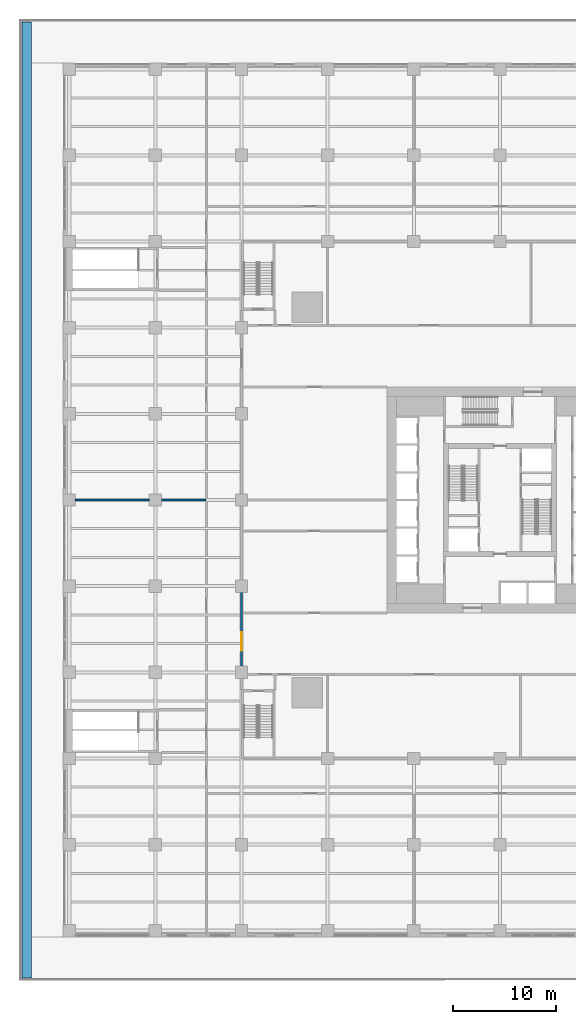
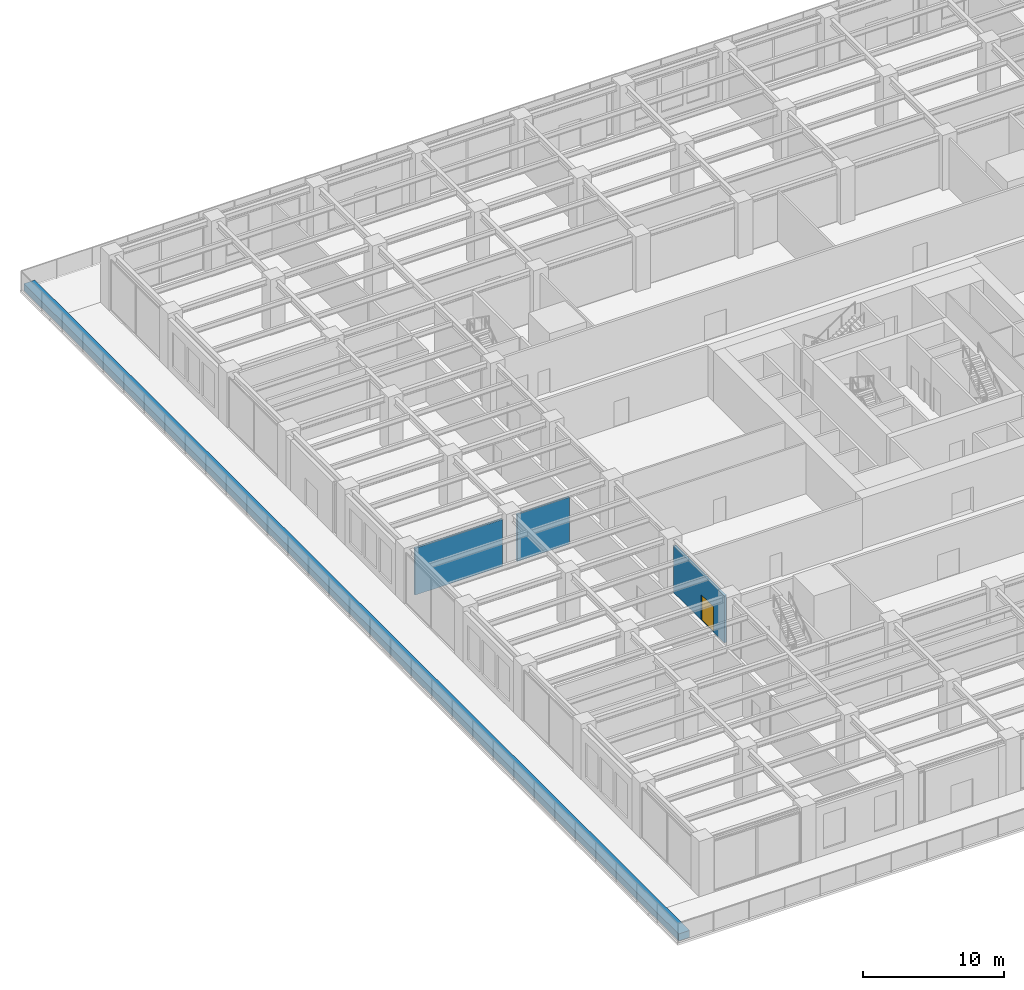
# One storey, part 37 of 53: 4 walls, 1 door, 1 opening.
"""IFC4 building model written with IfcOpenShell, lengths in metres."""

from ifc_helpers import new_model, si_unit, direction, frame, frame_2d, origin, place, context, subcontext, project, spatial, rectangle, extrude, material, layer, layer_set, type_object, element, fill, save


model = new_model("IFC4")

# Units and contexts
model_context = context("Model", 3, precision=1e-05, world=origin(), true_north=direction((0.0, 1.0)))
body_context = subcontext(model_context, "Body", "Model", "MODEL_VIEW")
ifc_project = project(units=[si_unit("LENGTHUNIT", "METRE"), si_unit("AREAUNIT", "SQUARE_METRE"), si_unit("VOLUMEUNIT", "CUBIC_METRE"), si_unit("PLANEANGLEUNIT", "RADIAN"), si_unit("MASSUNIT", "GRAM", prefix="KILO")], contexts=[model_context])

# Site, building, storey
site_placement = place(None, origin())
site = spatial("IfcSite", under=ifc_project, at=site_placement, CompositionType="ELEMENT")
building_placement = place(site_placement, origin())
building = spatial("IfcBuilding", under=site, at=building_placement, Name="Khepri Terraces", CompositionType="ELEMENT")
storey_placement = place(building_placement, frame((0.0, 0.0, 7.199951171875)))
storey = spatial("IfcBuildingStorey", under=building, at=storey_placement, Name="L01", CompositionType="ELEMENT", Elevation=7.199951171875)

# Walls
ifc_material_1 = material(Name="Precast concrete C50/60 warm stone", Category="masonry")
ifc_layer_1 = layer(ifc_material_1, 0.89990234375, Name="Precast concrete C50/60 warm stone", Category="masonry")
ifc_layer_set_1 = layer_set([ifc_layer_1], Name="Precast concrete C50/60 warm stone")
wall_type_1 = type_object("IfcWallType", Name="WL-PLANTER-900", PredefinedType="MOVABLE", material=ifc_layer_set_1)
wall_1_placement = place(storey_placement, frame((-46.14990234375, -46.60009765625, 0.0), z_axis=(0.0, 0.0, 1.0), x_axis=(0.0, 1.0, 0.0)))
element("IfcWall", 1, at=wall_1_placement, inside=storey, type_object=wall_type_1, Name="Planter L01", PredefinedType="MOVABLE", context=body_context, shape_type="SweptSolid", body=[
    extrude(rectangle(XDim=93.2001953125, YDim=0.89990234375, at=frame_2d((46.60009765625, 0.0))), origin(), (0.0, 0.0, 1.0), 0.60009765625),
])
ifc_material_2 = material(Name="Gypsum board partition")
ifc_layer_2 = layer(ifc_material_2, 0.14990234375, Name="Gypsum board partition")
ifc_layer_set_2 = layer_set([ifc_layer_2], Name="Gypsum board partition")
wall_type_2 = type_object("IfcWallType", Name="WL-POD-150", PredefinedType="PARTITIONING", material=ifc_layer_set_2)
wall_2_placement = place(storey_placement, frame((-41.39990234375, 0.0, 0.0), z_axis=(0.0, 0.0, 1.0), x_axis=(1.0, 0.0, 0.0)))
element("IfcWall", 2, at=wall_2_placement, inside=storey, type_object=wall_type_2, Name="Partition L01-PW019", PredefinedType="PARTITIONING", context=body_context, shape_type="SweptSolid", body=[
    extrude(rectangle(XDim=7.199951171875, YDim=0.14990234375, at=frame_2d((3.60009765625, 0.0))), origin(), (0.0, 0.0, 1.0), 4.080078125),
])
wall_3_placement = place(storey_placement, frame((-33.0, 0.0, 0.0), z_axis=(0.0, 0.0, 1.0), x_axis=(1.0, 0.0, 0.0)))
element("IfcWall", 3, at=wall_3_placement, inside=storey, type_object=wall_type_2, Name="Partition L01-PW020", PredefinedType="PARTITIONING", context=body_context, shape_type="SweptSolid", body=[
    extrude(rectangle(XDim=4.300048828125, YDim=0.14990234375, at=frame_2d((2.14990234375, 0.0))), origin(), (0.0, 0.0, 1.0), 4.080078125),
])

# Wall, opening, door
ifc_material_3 = material(Name="Fire-rated block wall")
ifc_layer_3 = layer(ifc_material_3, 0.199951171875, Name="Fire-rated block wall")
ifc_layer_set_3 = layer_set([ifc_layer_3], Name="Fire-rated block wall")
wall_type_3 = type_object("IfcWallType", Name="WL-POD-200-EI60", PredefinedType="PARTITIONING", material=ifc_layer_set_3)
wall_4_placement = place(storey_placement, frame((-25.199951171875, -16.199951171875, 0.0), z_axis=(0.0, 0.0, 1.0), x_axis=(0.0, 1.0, 0.0)))
wall_4 = element("IfcWall", 4, at=wall_4_placement, inside=storey, type_object=wall_type_3, Name="Partition L01-PW047", PredefinedType="PARTITIONING", context=body_context, shape_type="SweptSolid", body=[
    extrude(rectangle(XDim=7.199951171875, YDim=0.199951171875, at=frame_2d((3.60009765625, 0.0))), origin(), (0.0, 0.0, 1.0), 4.080078125),
])
opening_placement = place(wall_4_placement, frame((1.5, 0.0, 0.0)))
opening = element("IfcOpeningElement", 5, at=opening_placement, cuts=wall_4, Name="Opening L01-P15", PredefinedType="OPENING", context=body_context, shape_type="SweptSolid", body=[
    extrude(rectangle(XDim=1.800048828125, YDim=2.199951171875, at=frame_2d((0.89990234375, 1.10009765625))), frame((0.0, 0.10986328125, 0.0), z_axis=(0.0, -1.0, 0.0), x_axis=(1.0, 0.0, 0.0)), (0.0, 0.0, 1.0), 0.219970703125),
])
ifc_material_4 = material(Name="Painted steel", Category="steel")
door_type = type_object("IfcDoorType", Name="DR-POD-FIRE-PAIR-1800", OperationType="DOUBLE_DOOR_SINGLE_SWING", PredefinedType="DOOR", material=ifc_material_4)
door_placement = place(opening_placement, origin())
door = element("IfcDoor", 6, at=door_placement, inside=storey, type_object=door_type, Name="Fire door pair L01-P15", OperationType="DOUBLE_DOOR_SINGLE_SWING", OverallHeight=2.199951171875, OverallWidth=1.800048828125, PredefinedType="DOOR", context=body_context, shape_type="SweptSolid", body=[
    extrude(rectangle(XDim=1.800048828125, YDim=2.199951171875, at=frame_2d((0.89990234375, 1.10009765625))), frame((0.0, 0.02490234375, 0.0), z_axis=(0.0, -1.0, 0.0), x_axis=(1.0, 0.0, 0.0)), (0.0, 0.0, 1.0), 0.050048828125),
])
fill(opening, door)

save(model, "model.ifc")
